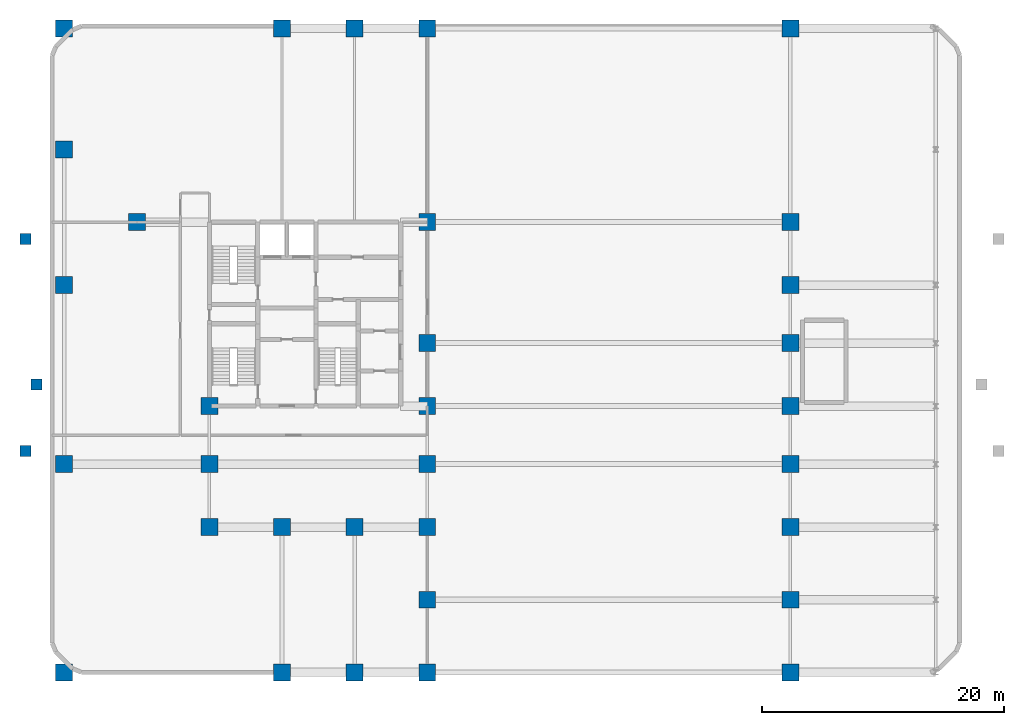
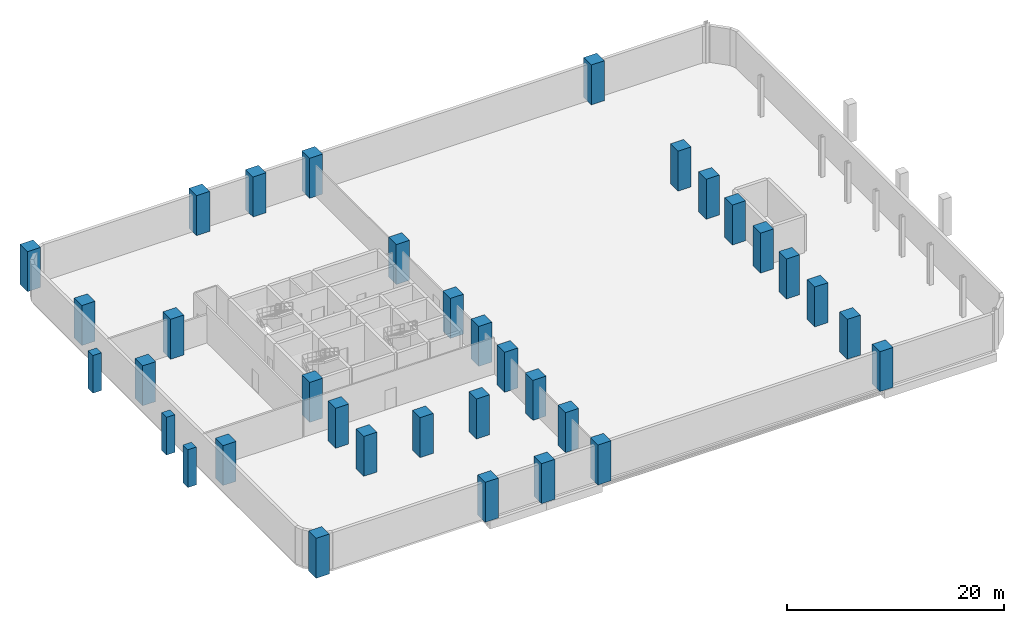
# One storey, part 1 of 7: 35 columns.
"""IFC4 building model written with IfcOpenShell, lengths in metres."""

from ifc_helpers import new_model, si_unit, direction, frame, origin, origin_2d, place, context, subcontext, project, spatial, rectangle, extrude, material, material_profile, profile_set, type_object, element, save


model = new_model("IFC4")

# Units and contexts
model_context = context("Model", 3, precision=1e-05, world=origin(), true_north=direction((0.0, 1.0)))
body_context = subcontext(model_context, "Body", "Model", "MODEL_VIEW")
ifc_project = project(units=[si_unit("LENGTHUNIT", "METRE"), si_unit("AREAUNIT", "SQUARE_METRE"), si_unit("VOLUMEUNIT", "CUBIC_METRE"), si_unit("PLANEANGLEUNIT", "RADIAN"), si_unit("MASSUNIT", "GRAM", prefix="KILO")], contexts=[model_context])

# Site, building, storey
site_placement = place(None, origin())
site = spatial("IfcSite", under=ifc_project, at=site_placement, CompositionType="ELEMENT")
building_placement = place(site_placement, origin())
building = spatial("IfcBuilding", under=site, at=building_placement, Name="Keshet Zoharim Tower", CompositionType="ELEMENT")
storey_placement = place(building_placement, frame((0.0, 0.0, -4.5)))
storey = spatial("IfcBuildingStorey", under=building, at=storey_placement, Name="B1", CompositionType="ELEMENT", Elevation=-4.5)

# Columns
ifc_material = material(Name="Concrete C60/75", Category="concrete")
ifc_material_profile_1 = material_profile(ifc_material, rectangle(XDim=1.39990234375, YDim=1.39990234375, at=origin_2d()), Name="RC1400x1400")
ifc_profile_set_1 = profile_set([ifc_material_profile_1], Name="Concrete C60/75")
column_type_1 = type_object("IfcColumnType", Name="COL-POD-1400", PredefinedType="COLUMN", material=ifc_profile_set_1)
for number, where, z_axis, x_axis, name in (
    (1, (3.0, 0.699951171875, 0.0), (0.0, 0.0, 1.0), (1.0, 0.0, 0.0), "B1 Column 1A"),
    (2, (3.0, 17.89990234375, 0.0), (0.0, 0.0, 1.0), (1.0, 0.0, 0.0), "B1 Column 1D"),
    (3, (3.0, 32.699951171875, 0.0), (0.0, 0.0, 1.0), (1.0, 0.0, 0.0), "B1 Column 1G"),
    (4, (3.0, 43.89990234375, 0.0), (0.0, 0.0, 1.0), (1.0, 0.0, 0.0), "B1 Column 1J"),
    (5, (3.0, 53.89990234375, 0.0), (0.0, 0.0, 1.0), (1.0, 0.0, 0.0), "B1 Column 1L"),
    (6, (9.0, 37.89990234375, 0.0), (0.0, 0.0, 1.0), (1.0, 0.0, 0.0), "B1 Column 2H"),
    (7, (15.0, 12.699951171875, 0.0), (0.0, 0.0, 1.0), (1.0, 0.0, 0.0), "B1 Column 3C"),
    (8, (15.0, 17.89990234375, 0.0), (0.0, 0.0, 1.0), (1.0, 0.0, 0.0), "B1 Column 3D"),
    (9, (15.0, 22.699951171875, 0.0), (0.0, 0.0, 1.0), (1.0, 0.0, 0.0), "B1 Column 3E"),
    (10, (21.0, 0.699951171875, 0.0), (0.0, 0.0, 1.0), (1.0, 0.0, 0.0), "B1 Column 4A"),
    (11, (21.0, 12.699951171875, 0.0), (0.0, 0.0, 1.0), (1.0, 0.0, 0.0), "B1 Column 4C"),
    (12, (21.0, 53.89990234375, 0.0), (0.0, 0.0, 1.0), (1.0, 0.0, 0.0), "B1 Column 4L"),
    (13, (27.0, 0.699951171875, 0.0), (0.0, 0.0, 1.0), (1.0, 0.0, 0.0), "B1 Column 5A"),
    (14, (27.0, 12.699951171875, 0.0), (0.0, 0.0, 1.0), (1.0, 0.0, 0.0), "B1 Column 5C"),
    (15, (27.0, 53.89990234375, 0.0), (0.0, 0.0, 1.0), (1.0, 0.0, 0.0), "B1 Column 5L"),
):
    element("IfcColumn", number, at=place(storey_placement, frame(where, z_axis=z_axis, x_axis=x_axis)), inside=storey, type_object=column_type_1, Name=name, PredefinedType="COLUMN", context=body_context, shape_type="SweptSolid", body=[
        extrude(rectangle(XDim=1.39990234375, YDim=1.39990234375, at=origin_2d()), origin(), (0.0, 0.0, 1.0), 4.5),
    ])
ifc_material_profile_2 = material_profile(ifc_material, rectangle(XDim=0.89990234375, YDim=0.89990234375, at=origin_2d()), Name="RC900x900")
ifc_profile_set_2 = profile_set([ifc_material_profile_2], Name="Concrete C60/75")
column_type_2 = type_object("IfcColumnType", Name="COL-RC900", PredefinedType="COLUMN", material=ifc_profile_set_2)
for number, where, z_axis, x_axis, name in (
    (16, (-0.199951171875, 19.0, 0.0), (0.0, 0.0, 1.0), (1.0, 0.0, 0.0), "B1 Forecourt Support Column FW1"),
    (17, (0.699951171875, 24.5, 0.0), (0.0, 0.0, 1.0), (1.0, 0.0, 0.0), "B1 Forecourt Support Column FW2"),
    (18, (-0.199951171875, 36.5, 0.0), (0.0, 0.0, 1.0), (1.0, 0.0, 0.0), "B1 Forecourt Support Column FW3"),
):
    element("IfcColumn", number, at=place(storey_placement, frame(where, z_axis=z_axis, x_axis=x_axis)), inside=storey, type_object=column_type_2, Name=name, PredefinedType="COLUMN", context=body_context, shape_type="SweptSolid", body=[
        extrude(rectangle(XDim=0.89990234375, YDim=0.89990234375, at=origin_2d()), origin(), (0.0, 0.0, 1.0), 4.25),
    ])
ifc_material_profile_3 = material_profile(ifc_material, rectangle(XDim=1.39990234375, YDim=1.39990234375, at=origin_2d()), Name="RC1400x1400")
ifc_profile_set_3 = profile_set([ifc_material_profile_3], Name="Concrete C60/75")
column_type_3 = type_object("IfcColumnType", Name="PIL-RC1400", PredefinedType="PILASTER", material=ifc_profile_set_3)
for number, where, z_axis, x_axis, name in (
    (19, (33.0, 0.699951171875, 0.0), (0.0, 0.0, 1.0), (1.0, 0.0, 0.0), "B1 Column 6A"),
    (20, (33.0, 6.699951171875, 0.0), (0.0, 0.0, 1.0), (1.0, 0.0, 0.0), "B1 Column 6B"),
    (21, (33.0, 12.699951171875, 0.0), (0.0, 0.0, 1.0), (1.0, 0.0, 0.0), "B1 Column 6C"),
    (22, (33.0, 17.89990234375, 0.0), (0.0, 0.0, 1.0), (1.0, 0.0, 0.0), "B1 Column 6D"),
    (23, (33.0, 22.699951171875, 0.0), (0.0, 0.0, 1.0), (1.0, 0.0, 0.0), "B1 Column 6E"),
    (24, (33.0, 27.89990234375, 0.0), (0.0, 0.0, 1.0), (1.0, 0.0, 0.0), "B1 Column 6F"),
    (25, (33.0, 37.89990234375, 0.0), (0.0, 0.0, 1.0), (1.0, 0.0, 0.0), "B1 Column 6H"),
    (26, (33.0, 53.89990234375, 0.0), (0.0, 0.0, 1.0), (1.0, 0.0, 0.0), "B1 Column 6L"),
    (27, (63.0, 0.699951171875, 0.0), (0.0, 0.0, 1.0), (1.0, 0.0, 0.0), "B1 Column 11A"),
    (28, (63.0, 6.699951171875, 0.0), (0.0, 0.0, 1.0), (1.0, 0.0, 0.0), "B1 Column 11B"),
    (29, (63.0, 12.699951171875, 0.0), (0.0, 0.0, 1.0), (1.0, 0.0, 0.0), "B1 Column 11C"),
    (30, (63.0, 17.89990234375, 0.0), (0.0, 0.0, 1.0), (1.0, 0.0, 0.0), "B1 Column 11D"),
    (31, (63.0, 22.699951171875, 0.0), (0.0, 0.0, 1.0), (1.0, 0.0, 0.0), "B1 Column 11E"),
    (32, (63.0, 27.89990234375, 0.0), (0.0, 0.0, 1.0), (1.0, 0.0, 0.0), "B1 Column 11F"),
    (33, (63.0, 32.699951171875, 0.0), (0.0, 0.0, 1.0), (1.0, 0.0, 0.0), "B1 Column 11G"),
    (34, (63.0, 37.89990234375, 0.0), (0.0, 0.0, 1.0), (1.0, 0.0, 0.0), "B1 Column 11H"),
    (35, (63.0, 53.89990234375, 0.0), (0.0, 0.0, 1.0), (1.0, 0.0, 0.0), "B1 Column 11L"),
):
    element("IfcColumn", number, at=place(storey_placement, frame(where, z_axis=z_axis, x_axis=x_axis)), inside=storey, type_object=column_type_3, Name=name, PredefinedType="PILASTER", context=body_context, shape_type="SweptSolid", body=[
        extrude(rectangle(XDim=1.39990234375, YDim=1.39990234375, at=origin_2d()), origin(), (0.0, 0.0, 1.0), 4.5),
    ])

save(model, "model.ifc")
